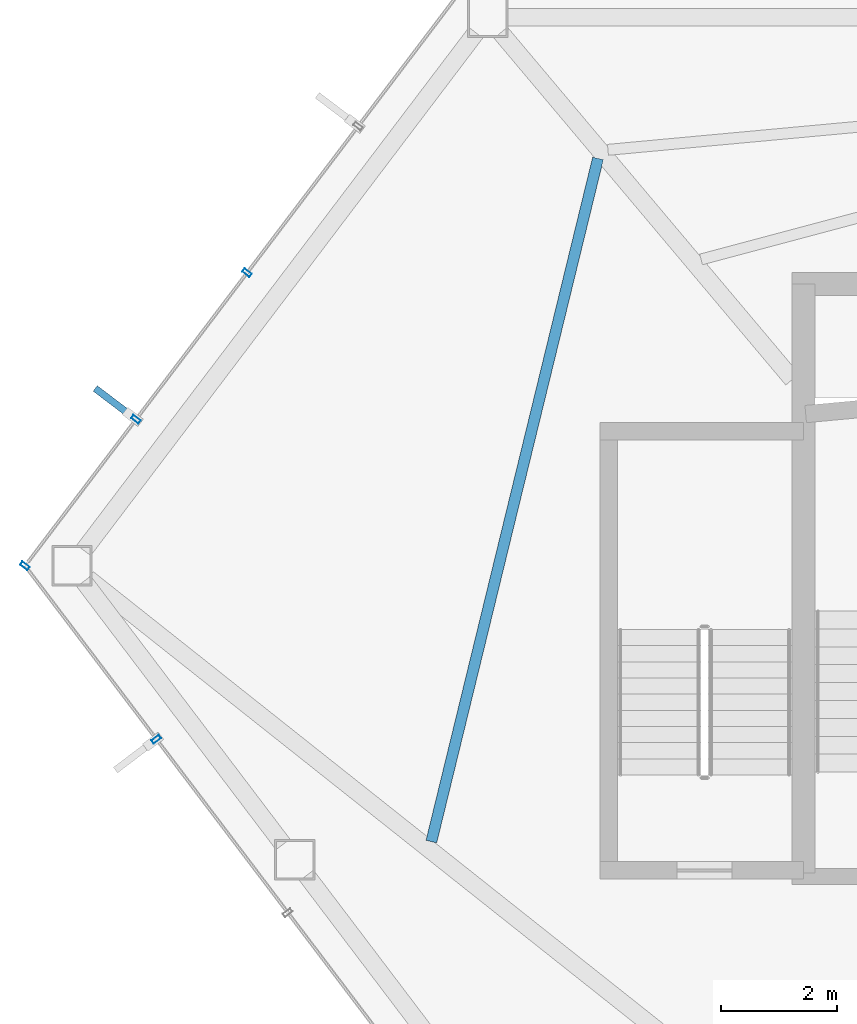
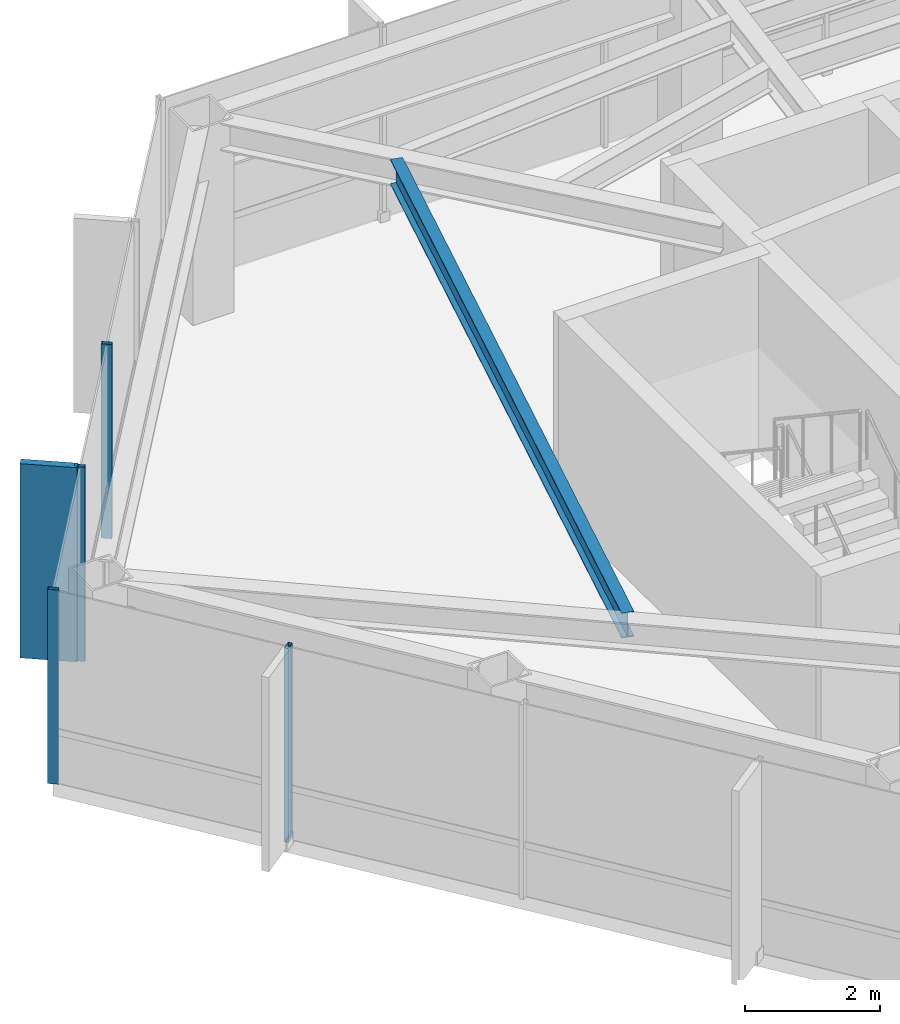
# One storey, part 10 of 27: 5 members, 1 beam, 2 elements without a shape of their own.
"""IFC4 building model written with IfcOpenShell, lengths in metres."""

from ifc_helpers import new_model, si_unit, direction, frame, origin, origin_2d, place, context, subcontext, project, spatial, rectangle, hollow_rectangle, i_section, extrude, material, layer, layer_set, material_profile, profile_set, type_object, element, aggregate, save


model = new_model("IFC4")

# Units and contexts
model_context = context("Model", 3, precision=1e-05, world=origin(), true_north=direction((0.0, 1.0)))
body_context = subcontext(model_context, "Body", "Model", "MODEL_VIEW")
ifc_project = project(units=[si_unit("LENGTHUNIT", "METRE"), si_unit("AREAUNIT", "SQUARE_METRE"), si_unit("VOLUMEUNIT", "CUBIC_METRE"), si_unit("PLANEANGLEUNIT", "RADIAN"), si_unit("MASSUNIT", "GRAM", prefix="KILO")], contexts=[model_context])

# Site, building, storey
site_placement = place(None, origin())
site = spatial("IfcSite", under=ifc_project, at=site_placement, CompositionType="ELEMENT")
building_placement = place(site_placement, origin())
building = spatial("IfcBuilding", under=site, at=building_placement, Name="Zarrinselat Tower", CompositionType="ELEMENT")
storey_placement = place(building_placement, frame((0.0, 0.0, 175.780029296875)))
storey = spatial("IfcBuildingStorey", under=building, at=storey_placement, Name="L43", CompositionType="ELEMENT", Elevation=175.780029296875)

# Beam
ifc_material_1 = material(Name="Steel S355J2", Category="steel")
ifc_material_profile_1 = material_profile(ifc_material_1, i_section(OverallWidth=0.18994140625, OverallDepth=0.449951171875, WebThickness=0.009521484375, FlangeThickness=0.0146484375, at=origin_2d()), Name="IPE 450")
ifc_profile_set_1 = profile_set([ifc_material_profile_1], Name="Steel S355J2")
beam_type = type_object("IfcBeamType", Name="BM-IPE450", PredefinedType="JOIST", material=ifc_profile_set_1)
beam_placement = place(storey_placement, frame((22.158203125, 33.7978515625, 3.27490234375), z_axis=(0.236982954582, 0.971513808053, 0.0), x_axis=(-0.971513808053, 0.236982954582, 0.0)))
element("IfcBeam", 1, at=beam_placement, inside=storey, type_object=beam_type, Name="L43 Composite Floor Joist 10-1", PredefinedType="JOIST", context=body_context, shape_type="SweptSolid", body=[
    extrude(i_section(OverallWidth=0.18994140625, OverallDepth=0.449951171875, WebThickness=0.009521484375, FlangeThickness=0.0146484375, at=origin_2d()), origin(), (0.0, 0.0, 1.0), 12.175048828125),
])

# Curtain wall, members
ifc_material_2 = material(Name="Extruded Aluminium Alloy EN AW-6063 T6", Category="aluminium")
ifc_layer = layer(ifc_material_2, 0.175048828125)
ifc_layer_set = layer_set([ifc_layer], Name="Extruded Aluminium Alloy EN AW-6063 T6")
curtain_wall_type = type_object("IfcCurtainWallType", Name="CWS-HTL", PredefinedType="NOTDEFINED", material=ifc_layer_set)
curtain_wall_1_placement = place(storey_placement, origin())
curtain_wall_1 = element("IfcCurtainWall", 2, at=curtain_wall_1_placement, inside=storey, type_object=curtain_wall_type, Name="L43 Unitised Curtain Wall CW-L43-E02", PredefinedType="NOTDEFINED")
ifc_material_3 = material(Name="Extruded Aluminium Alloy EN AW-6063 T6", Category="aluminium")
ifc_material_profile_2 = material_profile(ifc_material_3, hollow_rectangle(XDim=0.070068359375, YDim=0.159912109375, WallThickness=0.00390625, at=origin_2d()), Name="RHS 160x70x4")
ifc_profile_set_2 = profile_set([ifc_material_profile_2], Name="Extruded Aluminium Alloy EN AW-6063 T6")
member_type_1 = type_object("IfcMemberType", Name="MEM-CW-MUL2", PredefinedType="MULLION", material=ifc_profile_set_2)
member_1_placement = place(storey_placement, frame((18.965087890625, 43.64697265625, 0.0), z_axis=(0.0, 0.0, 1.0), x_axis=(-0.603859048702, -0.797091117314, 0.0)))
member_1 = element("IfcMember", 3, at=member_1_placement, type_object=member_type_1, Name="CW-L43-E02 Mullion 2", PredefinedType="MULLION", context=body_context, shape_type="SweptSolid", body=[
    extrude(hollow_rectangle(XDim=0.070068359375, YDim=0.159912109375, WallThickness=0.00390625, at=origin_2d()), origin(), (0.0, 0.0, 1.0), 3.5),
])
member_2_placement = place(storey_placement, frame((17.04248046875, 41.109375, 0.0), z_axis=(0.0, 0.0, 1.0), x_axis=(-0.603859048702, -0.797091117314, 0.0)))
member_2 = element("IfcMember", 4, at=member_2_placement, type_object=member_type_1, Name="CW-L43-E02 Mullion 3", PredefinedType="MULLION", context=body_context, shape_type="SweptSolid", body=[
    extrude(hollow_rectangle(XDim=0.070068359375, YDim=0.159912109375, WallThickness=0.00390625, at=origin_2d()), origin(), (0.0, 0.0, 1.0), 3.5),
])
member_3_placement = place(storey_placement, frame((15.1201171875, 38.57177734375, 0.0), z_axis=(0.0, 0.0, 1.0), x_axis=(-0.603859048702, -0.797091117314, 0.0)))
member_3 = element("IfcMember", 5, at=member_3_placement, type_object=member_type_1, Name="CW-L43-E02 Mullion 4", PredefinedType="MULLION", context=body_context, shape_type="SweptSolid", body=[
    extrude(hollow_rectangle(XDim=0.070068359375, YDim=0.159912109375, WallThickness=0.00390625, at=origin_2d()), origin(), (0.0, 0.0, 1.0), 3.5),
])

# Curtain wall, member
curtain_wall_2_placement = place(storey_placement, origin())
curtain_wall_2 = element("IfcCurtainWall", 6, at=curtain_wall_2_placement, inside=storey, type_object=curtain_wall_type, Name="L43 Unitised Curtain Wall CW-L43-E03", PredefinedType="NOTDEFINED")
member_4_placement = place(storey_placement, frame((17.39453125, 35.5693359375, 0.0), z_axis=(0.0, 0.0, 1.0), x_axis=(0.603857322892, -0.797092424748, 0.0)))
member_4 = element("IfcMember", 7, at=member_4_placement, type_object=member_type_1, Name="CW-L43-E03 Mullion 1", PredefinedType="MULLION", context=body_context, shape_type="SweptSolid", body=[
    extrude(hollow_rectangle(XDim=0.070068359375, YDim=0.159912109375, WallThickness=0.00390625, at=origin_2d()), origin(), (0.0, 0.0, 1.0), 3.5),
])
aggregate(curtain_wall_2, [member_4])

# Member
ifc_material_4 = material(Name="Honed Cream Travertine Stone", Category="masonry")
ifc_material_profile_3 = material_profile(ifc_material_4, rectangle(XDim=0.1201171875, YDim=0.85009765625, at=origin_2d()), Name="FIN 850x120")
ifc_profile_set_3 = profile_set([ifc_material_profile_3], Name="Honed Cream Travertine Stone")
member_type_2 = type_object("IfcMemberType", Name="MEM-STONE-FIN", PredefinedType="USERDEFINED", material=ifc_profile_set_3)
member_5_placement = place(storey_placement, frame((16.67578125, 41.38720703125, 0.0), z_axis=(0.0, 0.0, 1.0), x_axis=(0.603859048702, 0.797091117314, 0.0)))
member_5 = element("IfcMember", 8, at=member_5_placement, type_object=member_type_2, Name="L43 Stone Shading Fin CW-L43-E02-03", ObjectType="FIN", PredefinedType="USERDEFINED", context=body_context, shape_type="SweptSolid", body=[
    extrude(rectangle(XDim=0.1201171875, YDim=0.85009765625, at=origin_2d()), origin(), (0.0, 0.0, 1.0), 3.5),
])

aggregate(curtain_wall_1, [member_1, member_2, member_5, member_3])

save(model, "model.ifc")
